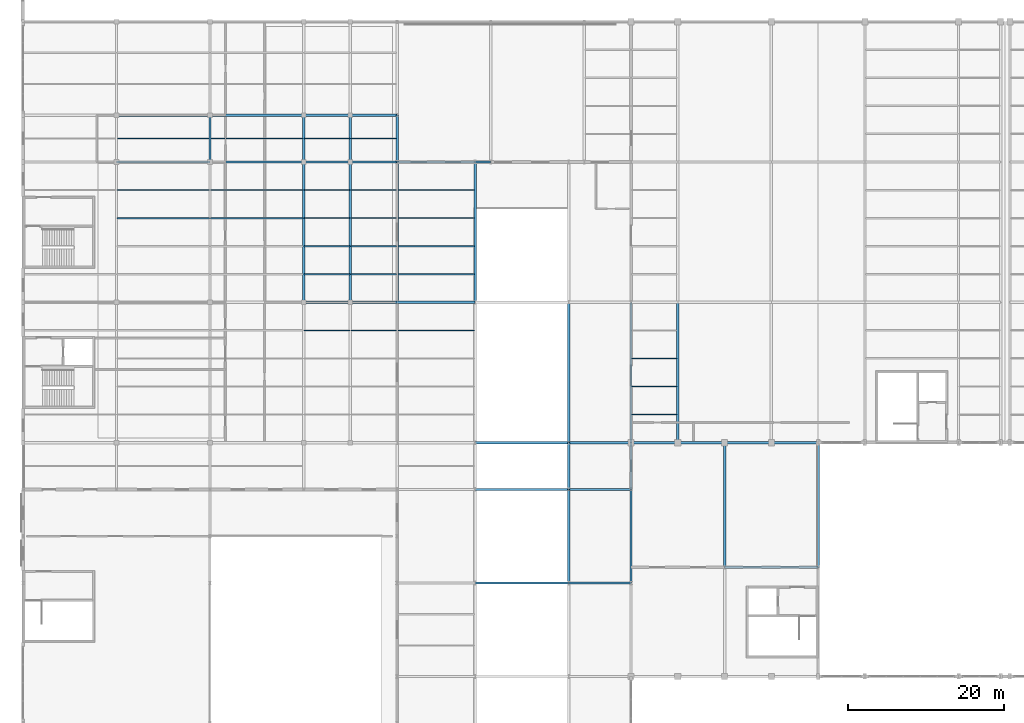
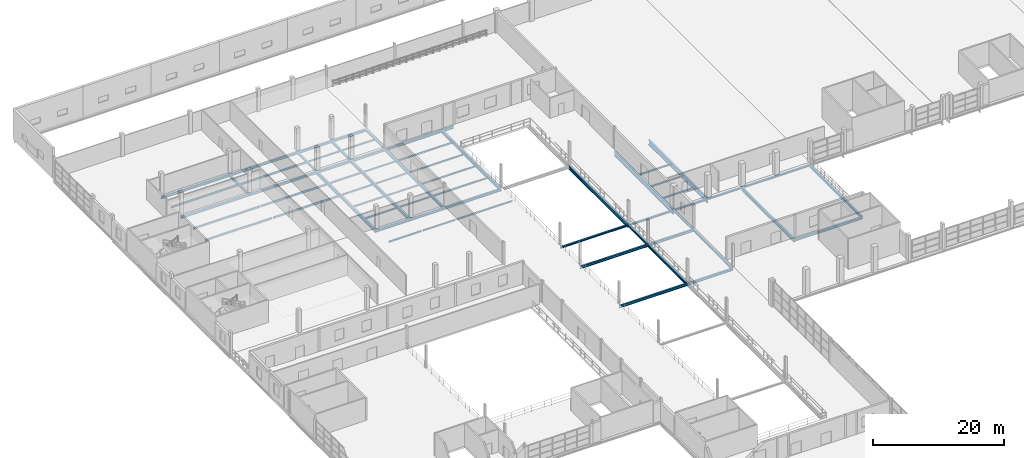
# One storey, part 65 of 147: 67 beams.
"""IFC4 building model written with IfcOpenShell, lengths in metres."""

from ifc_helpers import new_model, si_unit, direction, frame, origin, origin_2d, place, context, subcontext, project, spatial, i_section, extrude, material, material_profile, profile_set, type_object, element, save


model = new_model("IFC4")

# Units and contexts
model_context = context("Model", 3, precision=1e-05, world=origin(), true_north=direction((0.0, 1.0)))
body_context = subcontext(model_context, "Body", "Model", "MODEL_VIEW")
ifc_project = project(units=[si_unit("LENGTHUNIT", "METRE"), si_unit("AREAUNIT", "SQUARE_METRE"), si_unit("VOLUMEUNIT", "CUBIC_METRE"), si_unit("PLANEANGLEUNIT", "RADIAN"), si_unit("MASSUNIT", "GRAM", prefix="KILO")], contexts=[model_context])

# Site, building, storey
site_placement = place(None, origin())
site = spatial("IfcSite", under=ifc_project, at=site_placement, CompositionType="ELEMENT")
building_placement = place(site_placement, origin())
building = spatial("IfcBuilding", under=site, at=building_placement, Name="Zilviju Railside Exhibition Hall", CompositionType="ELEMENT")
storey_placement = place(building_placement, frame((0.0, 0.0, 8.39990234375)))
storey = spatial("IfcBuildingStorey", under=building, at=storey_placement, Name="L03", CompositionType="ELEMENT", Elevation=8.39990234375)

# Beams
ifc_material = material(Name="Steel S355J2", Category="steel")
ifc_material_profile_1 = material_profile(ifc_material, i_section(OverallWidth=0.300048828125, OverallDepth=0.2900390625, WebThickness=0.008544921875, FlangeThickness=0.013916015625, at=origin_2d()), Name="HEA 300")
ifc_profile_set_1 = profile_set([ifc_material_profile_1], Name="Steel S355J2")
beam_type_1 = type_object("IfcBeamType", Name="BM-HEA300", PredefinedType="SPANDREL", material=ifc_profile_set_1)
beam_1_placement = place(storey_placement, frame((58.0, 84.0, -0.494873046875), z_axis=(1.0, 0.0, 0.0), x_axis=(0.0, 1.0, 0.0)))
element("IfcBeam", 1, at=beam_1_placement, inside=storey, type_object=beam_type_1, Name="Primary Girder L03 Y=84.0 (58.0..70.0)", PredefinedType="SPANDREL", context=body_context, shape_type="SweptSolid", body=[
    extrude(i_section(OverallWidth=0.300048828125, OverallDepth=0.2900390625, WebThickness=0.008544921875, FlangeThickness=0.013916015625, at=origin_2d()), origin(), (0.0, 0.0, 1.0), 12.0),
])
beam_2_placement = place(storey_placement, frame((70.0, 84.0, -0.52490234375), z_axis=(1.0, 0.0, 0.0), x_axis=(0.0, 1.0, 0.0)))
element("IfcBeam", 2, at=beam_2_placement, inside=storey, type_object=beam_type_1, Name="Primary Girder L03 Y=84.0 (70.0..78.0)", PredefinedType="SPANDREL", context=body_context, shape_type="SweptSolid", body=[
    extrude(i_section(OverallWidth=0.300048828125, OverallDepth=0.2900390625, WebThickness=0.008544921875, FlangeThickness=0.013916015625, at=origin_2d()), origin(), (0.0, 0.0, 1.0), 8.0),
])
for number, where, z_axis, x_axis, name in (
    (3, (78.0, 84.0, -0.52490234375), (1.0, 0.0, 0.0), (0.0, 1.0, 0.0), "Primary Girder L03 Y=84.0 (78.0..84.0)"),
    (4, (84.0, 84.0, -0.52490234375), (1.0, 0.0, 0.0), (0.0, 1.0, 0.0), "Primary Girder L03 Y=84.0 (84.0..90.0)"),
    (5, (90.0, 84.0, -0.52490234375), (1.0, 0.0, 0.0), (0.0, 1.0, 0.0), "Primary Girder L03 Y=84.0 (90.0..96.0)"),
    (6, (96.0, 84.0, -0.52490234375), (1.0, 0.0, 0.0), (0.0, 1.0, 0.0), "Primary Girder L03 Y=84.0 (96.0..102.0)"),
    (7, (48.0, 120.0, -0.494873046875), (0.0, 1.0, 0.0), (-1.0, 0.0, 0.0), "Transverse Girder L03 X=48.0 (120.0..126.0)"),
    (8, (78.0, 78.0, -0.52490234375), (0.0, 1.0, 0.0), (-1.0, 0.0, 0.0), "Transverse Girder L03 X=78.0 (78.0..84.0)"),
):
    element("IfcBeam", number, at=place(storey_placement, frame(where, z_axis=z_axis, x_axis=x_axis)), inside=storey, type_object=beam_type_1, Name=name, PredefinedType="SPANDREL", context=body_context, shape_type="SweptSolid", body=[
        extrude(i_section(OverallWidth=0.300048828125, OverallDepth=0.2900390625, WebThickness=0.008544921875, FlangeThickness=0.013916015625, at=origin_2d()), origin(), (0.0, 0.0, 1.0), 6.0),
    ])
ifc_material_profile_2 = material_profile(ifc_material, i_section(OverallWidth=0.300048828125, OverallDepth=0.35009765625, WebThickness=0.010009765625, FlangeThickness=0.017578125, at=origin_2d()), Name="HEA 360")
ifc_profile_set_2 = profile_set([ifc_material_profile_2], Name="Steel S355J2")
beam_type_2 = type_object("IfcBeamType", Name="BM-HEA360", PredefinedType="BEAM", material=ifc_profile_set_2)
beam_3_placement = place(storey_placement, frame((78.0, 66.0, -0.52490234375), z_axis=(0.0, 1.0, 0.0), x_axis=(-1.0, 0.0, 0.0)))
element("IfcBeam", 9, at=beam_3_placement, inside=storey, type_object=beam_type_2, Name="Transverse Girder L03 X=78.0 (66.0..78.0)", PredefinedType="BEAM", context=body_context, shape_type="SweptSolid", body=[
    extrude(i_section(OverallWidth=0.300048828125, OverallDepth=0.35009765625, WebThickness=0.010009765625, FlangeThickness=0.017578125, at=origin_2d()), origin(), (0.0, 0.0, 1.0), 12.0),
])
ifc_material_profile_3 = material_profile(ifc_material, i_section(OverallWidth=0.300048828125, OverallDepth=0.360107421875, WebThickness=0.012451171875, FlangeThickness=0.0224609375, at=origin_2d()), Name="HEB 360")
ifc_profile_set_3 = profile_set([ifc_material_profile_3], Name="Steel S355J2")
beam_type_3 = type_object("IfcBeamType", Name="BM-HEB360", PredefinedType="BEAM", material=ifc_profile_set_3)
for number, where, z_axis, x_axis, name in (
    (10, (24.0, 120.0, -0.52978515625), (0.0, 1.0, 0.0), (-1.0, 0.0, 0.0), "Transverse Girder L03 X=24.0 (120.0..126.0)"),
    (11, (36.0, 120.0, -0.52978515625), (0.0, 1.0, 0.0), (-1.0, 0.0, 0.0), "Transverse Girder L03 X=36.0 (120.0..126.0)"),
    (12, (42.0, 120.0, -0.52978515625), (0.0, 1.0, 0.0), (-1.0, 0.0, 0.0), "Transverse Girder L03 X=42.0 (120.0..126.0)"),
    (13, (70.0, 78.0, -0.52978515625), (0.0, 1.0, 0.0), (-1.0, 0.0, 0.0), "Transverse Girder L03 X=70.0 (78.0..84.0)"),
):
    element("IfcBeam", number, at=place(storey_placement, frame(where, z_axis=z_axis, x_axis=x_axis)), inside=storey, type_object=beam_type_3, Name=name, PredefinedType="BEAM", context=body_context, shape_type="SweptSolid", body=[
        extrude(i_section(OverallWidth=0.300048828125, OverallDepth=0.360107421875, WebThickness=0.012451171875, FlangeThickness=0.0224609375, at=origin_2d()), origin(), (0.0, 0.0, 1.0), 6.0),
    ])
ifc_material_profile_4 = material_profile(ifc_material, i_section(OverallWidth=0.300048828125, OverallDepth=0.449951171875, WebThickness=0.013916015625, FlangeThickness=0.02587890625, at=origin_2d()), Name="HEB 450")
ifc_profile_set_4 = profile_set([ifc_material_profile_4], Name="Steel S355J2")
beam_type_4 = type_object("IfcBeamType", Name="BM-HEB450", PredefinedType="BEAM", material=ifc_profile_set_4)
beam_4_placement = place(storey_placement, frame((58.0, 66.0, -0.574951171875), z_axis=(1.0, 0.0, 0.0), x_axis=(0.0, 1.0, 0.0)))
element("IfcBeam", 14, at=beam_4_placement, inside=storey, type_object=beam_type_4, Name="Primary Girder L03 Y=66.0 (58.0..70.0)", PredefinedType="BEAM", context=body_context, shape_type="SweptSolid", body=[
    extrude(i_section(OverallWidth=0.300048828125, OverallDepth=0.449951171875, WebThickness=0.013916015625, FlangeThickness=0.02587890625, at=origin_2d()), origin(), (0.0, 0.0, 1.0), 12.0),
])
beam_5_placement = place(storey_placement, frame((70.0, 66.0, -0.574951171875), z_axis=(1.0, 0.0, 0.0), x_axis=(0.0, 1.0, 0.0)))
element("IfcBeam", 15, at=beam_5_placement, inside=storey, type_object=beam_type_4, Name="Primary Girder L03 Y=66.0 (70.0..78.0)", PredefinedType="BEAM", context=body_context, shape_type="SweptSolid", body=[
    extrude(i_section(OverallWidth=0.300048828125, OverallDepth=0.449951171875, WebThickness=0.013916015625, FlangeThickness=0.02587890625, at=origin_2d()), origin(), (0.0, 0.0, 1.0), 8.0),
])
for number, where, z_axis, x_axis, name in (
    (16, (90.0, 68.0, -0.574951171875), (1.0, 0.0, 0.0), (0.0, 1.0, 0.0), "Primary Girder L03 Y=68.0 (90.0..102.0)"),
    (17, (58.0, 78.0, -0.574951171875), (1.0, 0.0, 0.0), (0.0, 1.0, 0.0), "Primary Girder L03 Y=78.0 (58.0..70.0)"),
):
    element("IfcBeam", number, at=place(storey_placement, frame(where, z_axis=z_axis, x_axis=x_axis)), inside=storey, type_object=beam_type_4, Name=name, PredefinedType="BEAM", context=body_context, shape_type="SweptSolid", body=[
        extrude(i_section(OverallWidth=0.300048828125, OverallDepth=0.449951171875, WebThickness=0.013916015625, FlangeThickness=0.02587890625, at=origin_2d()), origin(), (0.0, 0.0, 1.0), 12.0),
    ])
beam_6_placement = place(storey_placement, frame((70.0, 78.0, -0.574951171875), z_axis=(1.0, 0.0, 0.0), x_axis=(0.0, 1.0, 0.0)))
element("IfcBeam", 18, at=beam_6_placement, inside=storey, type_object=beam_type_4, Name="Primary Girder L03 Y=78.0 (70.0..78.0)", PredefinedType="BEAM", context=body_context, shape_type="SweptSolid", body=[
    extrude(i_section(OverallWidth=0.300048828125, OverallDepth=0.449951171875, WebThickness=0.013916015625, FlangeThickness=0.02587890625, at=origin_2d()), origin(), (0.0, 0.0, 1.0), 8.0),
])
for number, where, z_axis, x_axis, name in (
    (19, (36.0, 102.0, -0.574951171875), (1.0, 0.0, 0.0), (0.0, 1.0, 0.0), "Primary Girder L03 Y=102.0 (36.0..42.0)"),
    (20, (42.0, 102.0, -0.574951171875), (1.0, 0.0, 0.0), (0.0, 1.0, 0.0), "Primary Girder L03 Y=102.0 (42.0..48.0)"),
):
    element("IfcBeam", number, at=place(storey_placement, frame(where, z_axis=z_axis, x_axis=x_axis)), inside=storey, type_object=beam_type_4, Name=name, PredefinedType="BEAM", context=body_context, shape_type="SweptSolid", body=[
        extrude(i_section(OverallWidth=0.300048828125, OverallDepth=0.449951171875, WebThickness=0.013916015625, FlangeThickness=0.02587890625, at=origin_2d()), origin(), (0.0, 0.0, 1.0), 6.0),
    ])
beam_7_placement = place(storey_placement, frame((48.0, 102.0, -0.574951171875), z_axis=(1.0, 0.0, 0.0), x_axis=(0.0, 1.0, 0.0)))
element("IfcBeam", 21, at=beam_7_placement, inside=storey, type_object=beam_type_4, Name="Primary Girder L03 Y=102.0 (48.0..58.0)", PredefinedType="BEAM", context=body_context, shape_type="SweptSolid", body=[
    extrude(i_section(OverallWidth=0.300048828125, OverallDepth=0.449951171875, WebThickness=0.013916015625, FlangeThickness=0.02587890625, at=origin_2d()), origin(), (0.0, 0.0, 1.0), 10.0),
])
for number, where, z_axis, x_axis, name in (
    (22, (12.0, 120.0, -0.574951171875), (1.0, 0.0, 0.0), (0.0, 1.0, 0.0), "Primary Girder L03 Y=120.0 (12.0..24.0)"),
    (23, (24.0, 120.0, -0.574951171875), (1.0, 0.0, 0.0), (0.0, 1.0, 0.0), "Primary Girder L03 Y=120.0 (24.0..36.0)"),
):
    element("IfcBeam", number, at=place(storey_placement, frame(where, z_axis=z_axis, x_axis=x_axis)), inside=storey, type_object=beam_type_4, Name=name, PredefinedType="BEAM", context=body_context, shape_type="SweptSolid", body=[
        extrude(i_section(OverallWidth=0.300048828125, OverallDepth=0.449951171875, WebThickness=0.013916015625, FlangeThickness=0.02587890625, at=origin_2d()), origin(), (0.0, 0.0, 1.0), 12.0),
    ])
for number, where, z_axis, x_axis, name in (
    (24, (36.0, 120.0, -0.574951171875), (1.0, 0.0, 0.0), (0.0, 1.0, 0.0), "Primary Girder L03 Y=120.0 (36.0..42.0)"),
    (25, (42.0, 120.0, -0.574951171875), (1.0, 0.0, 0.0), (0.0, 1.0, 0.0), "Primary Girder L03 Y=120.0 (42.0..48.0)"),
):
    element("IfcBeam", number, at=place(storey_placement, frame(where, z_axis=z_axis, x_axis=x_axis)), inside=storey, type_object=beam_type_4, Name=name, PredefinedType="BEAM", context=body_context, shape_type="SweptSolid", body=[
        extrude(i_section(OverallWidth=0.300048828125, OverallDepth=0.449951171875, WebThickness=0.013916015625, FlangeThickness=0.02587890625, at=origin_2d()), origin(), (0.0, 0.0, 1.0), 6.0),
    ])
beam_8_placement = place(storey_placement, frame((48.0, 120.0, -0.574951171875), z_axis=(1.0, 0.0, 0.0), x_axis=(0.0, 1.0, 0.0)))
element("IfcBeam", 26, at=beam_8_placement, inside=storey, type_object=beam_type_4, Name="Primary Girder L03 Y=120.0 (48.0..58.0)", PredefinedType="BEAM", context=body_context, shape_type="SweptSolid", body=[
    extrude(i_section(OverallWidth=0.300048828125, OverallDepth=0.449951171875, WebThickness=0.013916015625, FlangeThickness=0.02587890625, at=origin_2d()), origin(), (0.0, 0.0, 1.0), 10.0),
])
beam_9_placement = place(storey_placement, frame((58.0, 120.0, -0.574951171875), z_axis=(1.0, 0.0, 0.0), x_axis=(0.0, 1.0, 0.0)))
element("IfcBeam", 27, at=beam_9_placement, inside=storey, type_object=beam_type_4, Name="Primary Girder L03 Y=120.0 (58.0..60.0)", PredefinedType="BEAM", context=body_context, shape_type="SweptSolid", body=[
    extrude(i_section(OverallWidth=0.300048828125, OverallDepth=0.449951171875, WebThickness=0.013916015625, FlangeThickness=0.02587890625, at=origin_2d()), origin(), (0.0, 0.0, 1.0), 2.0),
])
for number, where, z_axis, x_axis, name in (
    (28, (12.0, 126.0, -0.574951171875), (1.0, 0.0, 0.0), (0.0, 1.0, 0.0), "Primary Girder L03 Y=126.0 (12.0..24.0)"),
    (29, (24.0, 126.0, -0.574951171875), (1.0, 0.0, 0.0), (0.0, 1.0, 0.0), "Primary Girder L03 Y=126.0 (24.0..36.0)"),
):
    element("IfcBeam", number, at=place(storey_placement, frame(where, z_axis=z_axis, x_axis=x_axis)), inside=storey, type_object=beam_type_4, Name=name, PredefinedType="BEAM", context=body_context, shape_type="SweptSolid", body=[
        extrude(i_section(OverallWidth=0.300048828125, OverallDepth=0.449951171875, WebThickness=0.013916015625, FlangeThickness=0.02587890625, at=origin_2d()), origin(), (0.0, 0.0, 1.0), 12.0),
    ])
for number, where, z_axis, x_axis, name in (
    (30, (36.0, 126.0, -0.574951171875), (1.0, 0.0, 0.0), (0.0, 1.0, 0.0), "Primary Girder L03 Y=126.0 (36.0..42.0)"),
    (31, (42.0, 126.0, -0.574951171875), (1.0, 0.0, 0.0), (0.0, 1.0, 0.0), "Primary Girder L03 Y=126.0 (42.0..48.0)"),
):
    element("IfcBeam", number, at=place(storey_placement, frame(where, z_axis=z_axis, x_axis=x_axis)), inside=storey, type_object=beam_type_4, Name=name, PredefinedType="BEAM", context=body_context, shape_type="SweptSolid", body=[
        extrude(i_section(OverallWidth=0.300048828125, OverallDepth=0.449951171875, WebThickness=0.013916015625, FlangeThickness=0.02587890625, at=origin_2d()), origin(), (0.0, 0.0, 1.0), 6.0),
    ])
beam_10_placement = place(storey_placement, frame((70.0, 66.0, -0.574951171875), z_axis=(0.0, 1.0, 0.0), x_axis=(-1.0, 0.0, 0.0)))
element("IfcBeam", 32, at=beam_10_placement, inside=storey, type_object=beam_type_4, Name="Transverse Girder L03 X=70.0 (66.0..78.0)", PredefinedType="BEAM", context=body_context, shape_type="SweptSolid", body=[
    extrude(i_section(OverallWidth=0.300048828125, OverallDepth=0.449951171875, WebThickness=0.013916015625, FlangeThickness=0.02587890625, at=origin_2d()), origin(), (0.0, 0.0, 1.0), 12.0),
])
ifc_material_profile_5 = material_profile(ifc_material, i_section(OverallWidth=0.300048828125, OverallDepth=0.5, WebThickness=0.014404296875, FlangeThickness=0.028076171875, at=origin_2d()), Name="HEB 500")
ifc_profile_set_5 = profile_set([ifc_material_profile_5], Name="Steel S355J2")
beam_type_5 = type_object("IfcBeamType", Name="BM-HEB500", PredefinedType="BEAM", material=ifc_profile_set_5)
beam_11_placement = place(storey_placement, frame((48.0, 102.0, -0.599853515625), z_axis=(0.0, 1.0, 0.0), x_axis=(-1.0, 0.0, 0.0)))
element("IfcBeam", 33, at=beam_11_placement, inside=storey, type_object=beam_type_5, Name="Transverse Girder L03 X=48.0 (102.0..120.0)", PredefinedType="BEAM", context=body_context, shape_type="SweptSolid", body=[
    extrude(i_section(OverallWidth=0.300048828125, OverallDepth=0.5, WebThickness=0.014404296875, FlangeThickness=0.028076171875, at=origin_2d()), origin(), (0.0, 0.0, 1.0), 18.0),
])
beam_12_placement = place(storey_placement, frame((102.0, 68.0, -0.6298828125), z_axis=(0.0, 1.0, 0.0), x_axis=(-1.0, 0.0, 0.0)))
element("IfcBeam", 34, at=beam_12_placement, inside=storey, type_object=beam_type_5, Name="Transverse Girder L03 X=102.0 (68.0..84.0)", PredefinedType="BEAM", context=body_context, shape_type="SweptSolid", body=[
    extrude(i_section(OverallWidth=0.300048828125, OverallDepth=0.5, WebThickness=0.014404296875, FlangeThickness=0.028076171875, at=origin_2d()), origin(), (0.0, 0.0, 1.0), 16.0),
])
ifc_material_profile_6 = material_profile(ifc_material, i_section(OverallWidth=0.300048828125, OverallDepth=0.60009765625, WebThickness=0.015380859375, FlangeThickness=0.030029296875, at=origin_2d()), Name="HEB 600")
ifc_profile_set_6 = profile_set([ifc_material_profile_6], Name="Steel S355J2")
beam_type_6 = type_object("IfcBeamType", Name="BM-HEB600", PredefinedType="BEAM", material=ifc_profile_set_6)
for number, where, z_axis, x_axis, name in (
    (35, (36.0, 102.0, -0.64990234375), (0.0, 1.0, 0.0), (-1.0, 0.0, 0.0), "Transverse Girder L03 X=36.0 (102.0..120.0)"),
    (36, (42.0, 102.0, -0.64990234375), (0.0, 1.0, 0.0), (-1.0, 0.0, 0.0), "Transverse Girder L03 X=42.0 (102.0..120.0)"),
    (37, (58.0, 102.0, -0.64990234375), (0.0, 1.0, 0.0), (-1.0, 0.0, 0.0), "Transverse Girder L03 X=58.0 (102.0..120.0)"),
    (38, (70.0, 84.0, -0.64990234375), (0.0, 1.0, 0.0), (-1.0, 0.0, 0.0), "Transverse Girder L03 X=70.0 (84.0..102.0)"),
):
    element("IfcBeam", number, at=place(storey_placement, frame(where, z_axis=z_axis, x_axis=x_axis)), inside=storey, type_object=beam_type_6, Name=name, PredefinedType="BEAM", context=body_context, shape_type="SweptSolid", body=[
        extrude(i_section(OverallWidth=0.300048828125, OverallDepth=0.60009765625, WebThickness=0.015380859375, FlangeThickness=0.030029296875, at=origin_2d()), origin(), (0.0, 0.0, 1.0), 18.0),
    ])
beam_13_placement = place(storey_placement, frame((90.0, 68.0, -0.679931640625), z_axis=(0.0, 1.0, 0.0), x_axis=(-1.0, 0.0, 0.0)))
element("IfcBeam", 39, at=beam_13_placement, inside=storey, type_object=beam_type_6, Name="Transverse Girder L03 X=90.0 (68.0..84.0)", PredefinedType="BEAM", context=body_context, shape_type="SweptSolid", body=[
    extrude(i_section(OverallWidth=0.300048828125, OverallDepth=0.60009765625, WebThickness=0.015380859375, FlangeThickness=0.030029296875, at=origin_2d()), origin(), (0.0, 0.0, 1.0), 16.0),
])
ifc_material_profile_7 = material_profile(ifc_material, i_section(OverallWidth=0.300048828125, OverallDepth=0.89990234375, WebThickness=0.0185546875, FlangeThickness=0.034912109375, at=origin_2d()), Name="HEB 900")
ifc_profile_set_7 = profile_set([ifc_material_profile_7], Name="Steel S355J2")
beam_type_7 = type_object("IfcBeamType", Name="BM-HEB900", PredefinedType="BEAM", material=ifc_profile_set_7)
for number, where, z_axis, x_axis, name in (
    (40, (78.0, 84.0, -0.829833984375), (0.0, 1.0, 0.0), (-1.0, 0.0, 0.0), "Transverse Girder L03 X=78.0 (84.0..102.0)"),
    (41, (84.0, 84.0, -0.829833984375), (0.0, 1.0, 0.0), (-1.0, 0.0, 0.0), "Transverse Girder L03 X=84.0 (84.0..102.0)"),
):
    element("IfcBeam", number, at=place(storey_placement, frame(where, z_axis=z_axis, x_axis=x_axis)), inside=storey, type_object=beam_type_7, Name=name, PredefinedType="BEAM", context=body_context, shape_type="SweptSolid", body=[
        extrude(i_section(OverallWidth=0.300048828125, OverallDepth=0.89990234375, WebThickness=0.0185546875, FlangeThickness=0.034912109375, at=origin_2d()), origin(), (0.0, 0.0, 1.0), 18.0),
    ])
ifc_material_profile_8 = material_profile(ifc_material, i_section(OverallWidth=0.14990234375, OverallDepth=0.300048828125, WebThickness=0.007080078125, FlangeThickness=0.0107421875, at=origin_2d()), Name="IPE 300")
ifc_profile_set_8 = profile_set([ifc_material_profile_8], Name="Steel S355J2")
beam_type_8 = type_object("IfcBeamType", Name="BM-IPE300", PredefinedType="JOIST", material=ifc_profile_set_8)
for number, where, z_axis, x_axis, name in (
    (42, (36.080078125, 98.39990234375, -0.5), (1.0, 0.0, 0.0), (0.0, 1.0, 0.0), "Composite Floor Joist L03 Y=98.40 (36.0..42.0)"),
    (43, (36.080078125, 105.60009765625, -0.5), (1.0, 0.0, 0.0), (0.0, 1.0, 0.0), "Composite Floor Joist L03 Y=105.60 (36.0..42.0)"),
    (44, (36.080078125, 109.199951171875, -0.5), (1.0, 0.0, 0.0), (0.0, 1.0, 0.0), "Composite Floor Joist L03 Y=109.20 (36.0..42.0)"),
    (45, (36.080078125, 112.800048828125, -0.5), (1.0, 0.0, 0.0), (0.0, 1.0, 0.0), "Composite Floor Joist L03 Y=112.80 (36.0..42.0)"),
    (46, (36.080078125, 116.39990234375, -0.5), (1.0, 0.0, 0.0), (0.0, 1.0, 0.0), "Composite Floor Joist L03 Y=116.40 (36.0..42.0)"),
    (47, (36.080078125, 123.0, -0.5), (1.0, 0.0, 0.0), (0.0, 1.0, 0.0), "Composite Floor Joist L03 Y=123.00 (36.0..42.0)"),
    (48, (42.080078125, 98.39990234375, -0.5), (1.0, 0.0, 0.0), (0.0, 1.0, 0.0), "Composite Floor Joist L03 Y=98.40 (42.0..48.0)"),
    (49, (42.080078125, 105.60009765625, -0.5), (1.0, 0.0, 0.0), (0.0, 1.0, 0.0), "Composite Floor Joist L03 Y=105.60 (42.0..48.0)"),
    (50, (42.080078125, 109.199951171875, -0.5), (1.0, 0.0, 0.0), (0.0, 1.0, 0.0), "Composite Floor Joist L03 Y=109.20 (42.0..48.0)"),
    (51, (42.080078125, 112.800048828125, -0.5), (1.0, 0.0, 0.0), (0.0, 1.0, 0.0), "Composite Floor Joist L03 Y=112.80 (42.0..48.0)"),
    (52, (42.080078125, 116.39990234375, -0.5), (1.0, 0.0, 0.0), (0.0, 1.0, 0.0), "Composite Floor Joist L03 Y=116.40 (42.0..48.0)"),
    (53, (42.080078125, 123.0, -0.5), (1.0, 0.0, 0.0), (0.0, 1.0, 0.0), "Composite Floor Joist L03 Y=123.00 (42.0..48.0)"),
):
    element("IfcBeam", number, at=place(storey_placement, frame(where, z_axis=z_axis, x_axis=x_axis)), inside=storey, type_object=beam_type_8, Name=name, PredefinedType="JOIST", context=body_context, shape_type="SweptSolid", body=[
        extrude(i_section(OverallWidth=0.14990234375, OverallDepth=0.300048828125, WebThickness=0.007080078125, FlangeThickness=0.0107421875, at=origin_2d()), origin(), (0.0, 0.0, 1.0), 5.83984375),
    ])
for number, where, z_axis, x_axis, name in (
    (54, (48.080078125, 98.39990234375, -0.5), (1.0, 0.0, 0.0), (0.0, 1.0, 0.0), "Composite Floor Joist L03 Y=98.40 (48.0..58.0)"),
    (55, (48.080078125, 105.60009765625, -0.5), (1.0, 0.0, 0.0), (0.0, 1.0, 0.0), "Composite Floor Joist L03 Y=105.60 (48.0..58.0)"),
    (56, (48.080078125, 109.199951171875, -0.5), (1.0, 0.0, 0.0), (0.0, 1.0, 0.0), "Composite Floor Joist L03 Y=109.20 (48.0..58.0)"),
    (57, (48.080078125, 112.800048828125, -0.5), (1.0, 0.0, 0.0), (0.0, 1.0, 0.0), "Composite Floor Joist L03 Y=112.80 (48.0..58.0)"),
    (58, (48.080078125, 116.39990234375, -0.5), (1.0, 0.0, 0.0), (0.0, 1.0, 0.0), "Composite Floor Joist L03 Y=116.40 (48.0..58.0)"),
):
    element("IfcBeam", number, at=place(storey_placement, frame(where, z_axis=z_axis, x_axis=x_axis)), inside=storey, type_object=beam_type_8, Name=name, PredefinedType="JOIST", context=body_context, shape_type="SweptSolid", body=[
        extrude(i_section(OverallWidth=0.14990234375, OverallDepth=0.300048828125, WebThickness=0.007080078125, FlangeThickness=0.0107421875, at=origin_2d()), origin(), (0.0, 0.0, 1.0), 9.83984375),
    ])
for number, where, z_axis, x_axis, name in (
    (59, (78.080078125, 87.60009765625, -0.52978515625), (1.0, 0.0, 0.0), (0.0, 1.0, 0.0), "Composite Floor Joist L03 Y=87.60 (78.0..84.0)"),
    (60, (78.080078125, 91.199951171875, -0.52978515625), (1.0, 0.0, 0.0), (0.0, 1.0, 0.0), "Composite Floor Joist L03 Y=91.20 (78.0..84.0)"),
    (61, (78.080078125, 94.800048828125, -0.52978515625), (1.0, 0.0, 0.0), (0.0, 1.0, 0.0), "Composite Floor Joist L03 Y=94.80 (78.0..84.0)"),
):
    element("IfcBeam", number, at=place(storey_placement, frame(where, z_axis=z_axis, x_axis=x_axis)), inside=storey, type_object=beam_type_8, Name=name, PredefinedType="JOIST", context=body_context, shape_type="SweptSolid", body=[
        extrude(i_section(OverallWidth=0.14990234375, OverallDepth=0.300048828125, WebThickness=0.007080078125, FlangeThickness=0.0107421875, at=origin_2d()), origin(), (0.0, 0.0, 1.0), 5.83984375),
    ])
ifc_material_profile_9 = material_profile(ifc_material, i_section(OverallWidth=0.169921875, OverallDepth=0.360107421875, WebThickness=0.008056640625, FlangeThickness=0.0126953125, at=origin_2d()), Name="IPE 360")
ifc_profile_set_9 = profile_set([ifc_material_profile_9], Name="Steel S355J2")
beam_type_9 = type_object("IfcBeamType", Name="BM-IPE360", PredefinedType="JOIST", material=ifc_profile_set_9)
for number, where, z_axis, x_axis, name in (
    (62, (12.080078125, 112.800048828125, -0.52978515625), (1.0, 0.0, 0.0), (0.0, 1.0, 0.0), "Composite Floor Joist L03 Y=112.80 (12.0..24.0)"),
    (63, (12.080078125, 116.39990234375, -0.52978515625), (1.0, 0.0, 0.0), (0.0, 1.0, 0.0), "Composite Floor Joist L03 Y=116.40 (12.0..24.0)"),
    (64, (12.080078125, 123.0, -0.52978515625), (1.0, 0.0, 0.0), (0.0, 1.0, 0.0), "Composite Floor Joist L03 Y=123.00 (12.0..24.0)"),
    (65, (24.080078125, 112.800048828125, -0.52978515625), (1.0, 0.0, 0.0), (0.0, 1.0, 0.0), "Composite Floor Joist L03 Y=112.80 (24.0..36.0)"),
    (66, (24.080078125, 116.39990234375, -0.52978515625), (1.0, 0.0, 0.0), (0.0, 1.0, 0.0), "Composite Floor Joist L03 Y=116.40 (24.0..36.0)"),
    (67, (24.080078125, 123.0, -0.52978515625), (1.0, 0.0, 0.0), (0.0, 1.0, 0.0), "Composite Floor Joist L03 Y=123.00 (24.0..36.0)"),
):
    element("IfcBeam", number, at=place(storey_placement, frame(where, z_axis=z_axis, x_axis=x_axis)), inside=storey, type_object=beam_type_9, Name=name, PredefinedType="JOIST", context=body_context, shape_type="SweptSolid", body=[
        extrude(i_section(OverallWidth=0.169921875, OverallDepth=0.360107421875, WebThickness=0.008056640625, FlangeThickness=0.0126953125, at=origin_2d()), origin(), (0.0, 0.0, 1.0), 11.83984375),
    ])

save(model, "model.ifc")
